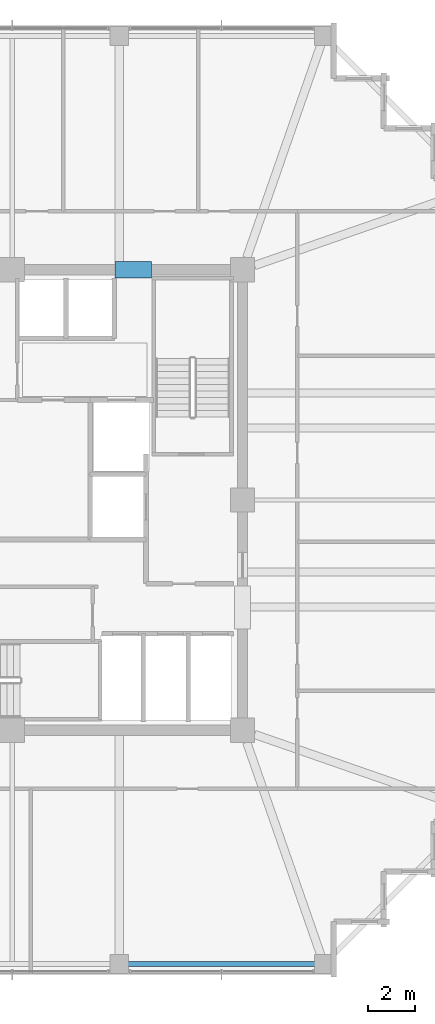
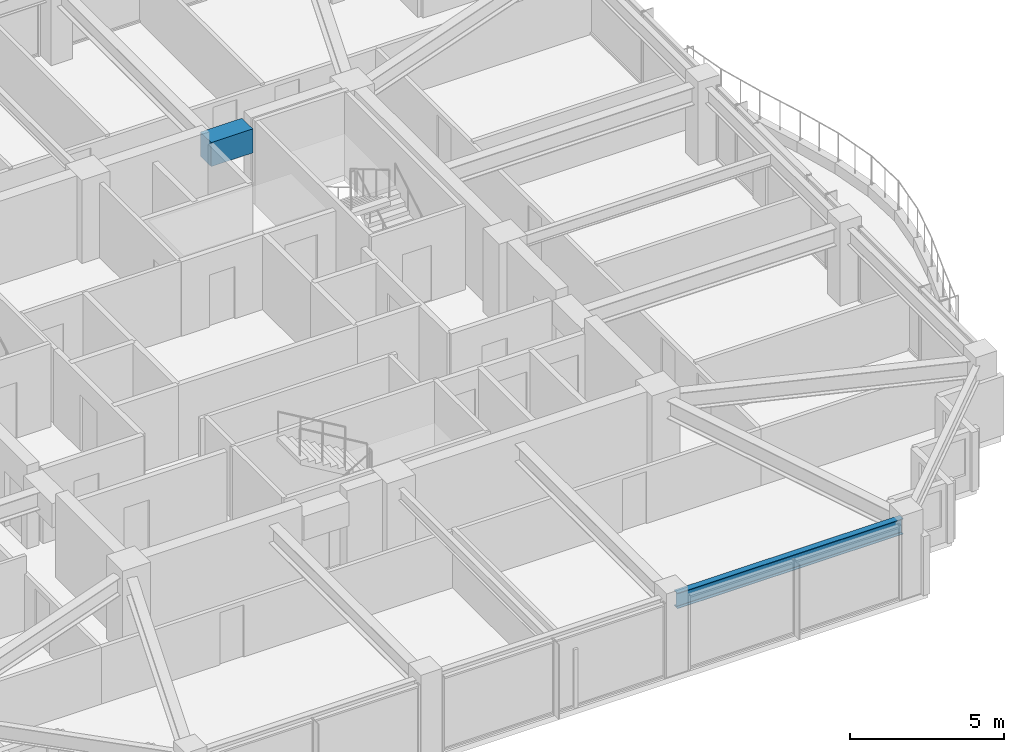
# One storey, part 9 of 34: 2 beams.
"""IFC4 building model written with IfcOpenShell, lengths in metres."""

from ifc_helpers import new_model, si_unit, direction, frame, origin, origin_2d, place, context, subcontext, project, spatial, rectangle, i_section, extrude, material, material_profile, profile_set, type_object, element, save


model = new_model("IFC4")

# Units and contexts
model_context = context("Model", 3, precision=1e-05, world=origin(), true_north=direction((0.0, 1.0)))
body_context = subcontext(model_context, "Body", "Model", "MODEL_VIEW")
ifc_project = project(units=[si_unit("LENGTHUNIT", "METRE"), si_unit("AREAUNIT", "SQUARE_METRE"), si_unit("VOLUMEUNIT", "CUBIC_METRE"), si_unit("PLANEANGLEUNIT", "RADIAN"), si_unit("MASSUNIT", "GRAM", prefix="KILO")], contexts=[model_context])

# Site, building, storey
site_placement = place(None, origin())
site = spatial("IfcSite", under=ifc_project, at=site_placement, CompositionType="ELEMENT")
building_placement = place(site_placement, origin())
building = spatial("IfcBuilding", under=site, at=building_placement, Name="Kolvaren Belvedere", CompositionType="ELEMENT")
storey_placement = place(building_placement, frame((0.0, 0.0, 229.5)))
storey = spatial("IfcBuildingStorey", under=building, at=storey_placement, Name="L67", CompositionType="ELEMENT", Elevation=229.5)

# Beams
ifc_material_1 = material(Name="Concrete C60/75", Category="concrete")
ifc_material_profile_1 = material_profile(ifc_material_1, rectangle(XDim=0.699951171875, YDim=0.949951171875, at=origin_2d()), Name="RC 700X950")
ifc_profile_set_1 = profile_set([ifc_material_profile_1], Name="Concrete C60/75")
beam_type_1 = type_object("IfcBeamType", Name="BM-LINT-950", PredefinedType="LINTEL", material=ifc_profile_set_1)
beam_1_placement = place(storey_placement, frame((4.419921875, 9.89990234375, 2.47509765625), z_axis=(1.0, 0.0, 0.0), x_axis=(0.0, 1.0, 0.0)))
element("IfcBeam", 1, at=beam_1_placement, inside=storey, type_object=beam_type_1, Name="L67 North Core Coupling Lintel", PredefinedType="LINTEL", context=body_context, shape_type="SweptSolid", body=[
    extrude(rectangle(XDim=0.699951171875, YDim=0.949951171875, at=origin_2d()), origin(), (0.0, 0.0, 1.0), 1.56005859375),
])
ifc_material_2 = material(Name="Structural steel ASTM A992 Grade 50", Category="steel")
ifc_material_profile_2 = material_profile(ifc_material_2, i_section(OverallWidth=0.22900390625, OverallDepth=0.612060546875, WebThickness=0.011962890625, FlangeThickness=0.01953125, FilletRadius=0.01806640625, at=origin_2d()), Name="W24X84")
ifc_profile_set_2 = profile_set([ifc_material_profile_2], Name="Structural steel ASTM A992 Grade 50")
beam_type_2 = type_object("IfcBeamType", Name="BM-SPAN-W24X84", PredefinedType="SPANDREL", material=ifc_profile_set_2)
beam_2_placement = place(storey_placement, frame((4.780029296875, -19.949951171875, 2.64404296875), z_axis=(1.0, 0.0, 0.0), x_axis=(0.0, 1.0, 0.0)))
element("IfcBeam", 2, at=beam_2_placement, inside=storey, type_object=beam_type_2, Name="L67 Perimeter Spandrel S3-S4", PredefinedType="SPANDREL", context=body_context, shape_type="SweptSolid", body=[
    extrude(i_section(OverallWidth=0.22900390625, OverallDepth=0.612060546875, WebThickness=0.011962890625, FlangeThickness=0.01953125, FilletRadius=0.01806640625, at=origin_2d()), origin(), (0.0, 0.0, 1.0), 8.43994140625),
])

save(model, "model.ifc")
